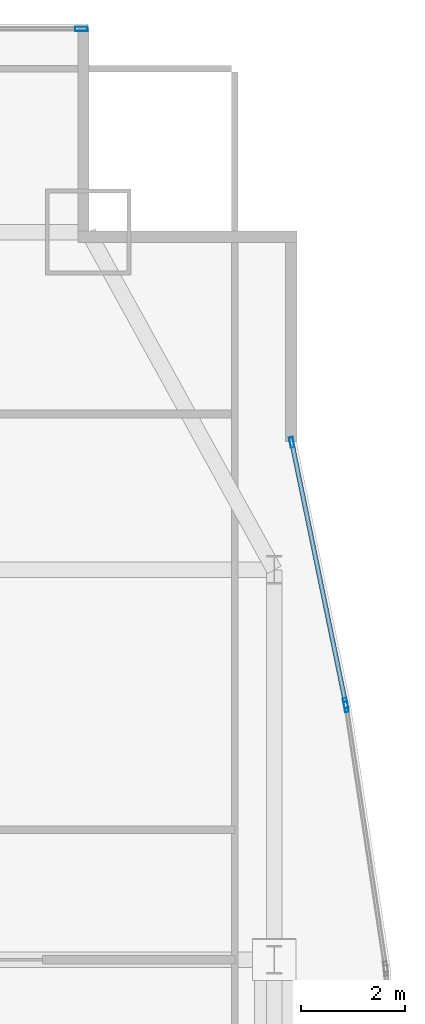
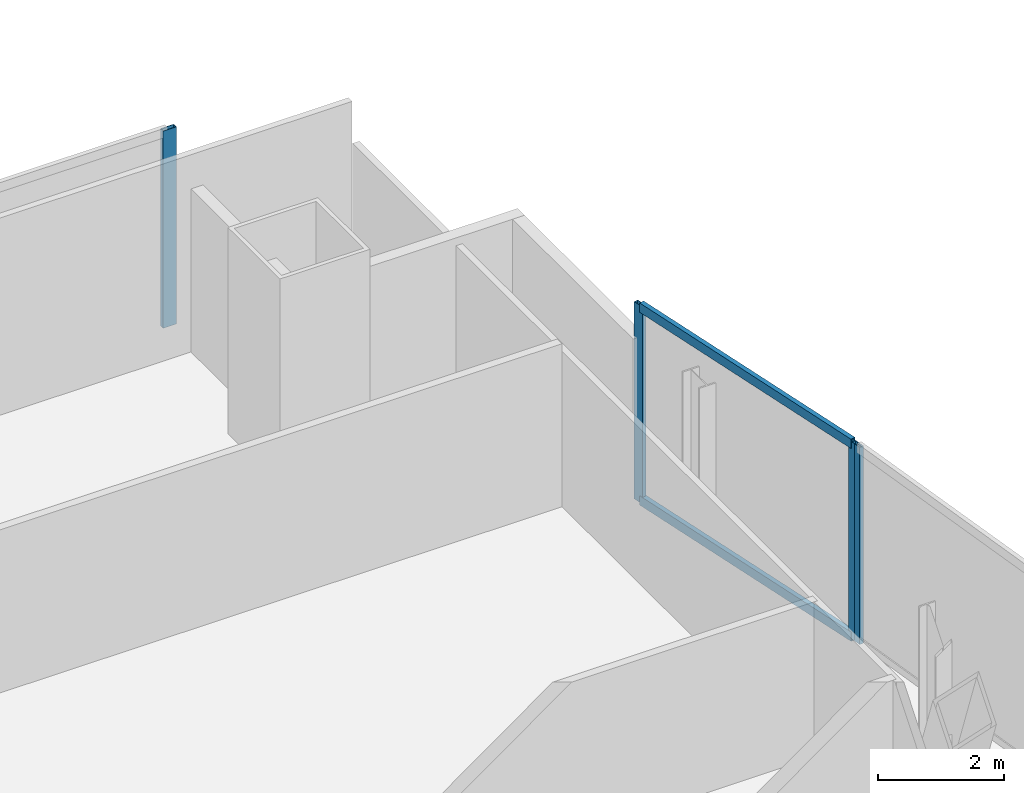
# One storey, part 27 of 36: 6 members, 3 elements without a shape of their own.
"""IFC4 building model written with IfcOpenShell, lengths in metres."""

from ifc_helpers import new_model, si_unit, direction, frame, origin, origin_2d, place, context, subcontext, project, spatial, hollow_rectangle, extrude, material, material_profile, profile_set, type_object, element, aggregate, save


model = new_model("IFC4")

# Units and contexts
model_context = context("Model", 3, precision=1e-05, world=origin(), true_north=direction((0.0, 1.0)))
body_context = subcontext(model_context, "Body", "Model", "MODEL_VIEW")
ifc_project = project(units=[si_unit("LENGTHUNIT", "METRE"), si_unit("AREAUNIT", "SQUARE_METRE"), si_unit("VOLUMEUNIT", "CUBIC_METRE"), si_unit("PLANEANGLEUNIT", "RADIAN"), si_unit("MASSUNIT", "GRAM", prefix="KILO")], contexts=[model_context])

# Site, building, storey
site_placement = place(None, origin())
site = spatial("IfcSite", under=ifc_project, at=site_placement, CompositionType="ELEMENT")
building_placement = place(site_placement, origin())
building = spatial("IfcBuilding", under=site, at=building_placement, Name="Khoronbel Lancet Exchange", CompositionType="ELEMENT")
storey_placement = place(building_placement, frame((0.0, 0.0, 49.800048828125)))
storey = spatial("IfcBuildingStorey", under=building, at=storey_placement, Name="L11", CompositionType="ELEMENT", Elevation=49.800048828125)

# Curtain wall, member
ifc_material_1 = material(Name="Low-E Solar Control Insulating Glass", Category="glass")
curtain_wall_type_1 = type_object("IfcCurtainWallType", Name="CW-1", PredefinedType="NOTDEFINED", material=ifc_material_1)
curtain_wall_1_placement = place(storey_placement, origin())
curtain_wall_1 = element("IfcCurtainWall", 1, at=curtain_wall_1_placement, inside=storey, type_object=curtain_wall_type_1, Name="Unitised curtain wall CW-L11-NEFLK", PredefinedType="NOTDEFINED")
ifc_material_2 = material(Name="Bronze-Anodised Aluminium 6063-T6", Category="aluminium")
ifc_material_profile_1 = material_profile(ifc_material_2, hollow_rectangle(XDim=0.0849609375, YDim=0.239990234375, WallThickness=0.006103515625, at=origin_2d()), Name="ALU MULLION 85x240")
ifc_profile_set_1 = profile_set([ifc_material_profile_1], Name="Bronze-Anodised Aluminium 6063-T6")
member_type_1 = type_object("IfcMemberType", Name="MEM-CWM1", PredefinedType="MULLION", material=ifc_profile_set_1)
member_1_placement = place(storey_placement, frame((67.91748046875, 53.610107421875, 0.0), z_axis=(0.0, 0.0, 1.0), x_axis=(0.0, -1.0, 0.0)))
member_1 = element("IfcMember", 2, at=member_1_placement, type_object=member_type_1, Name="CW1 mullion 1", PredefinedType="MULLION", context=body_context, shape_type="SweptSolid", body=[
    extrude(hollow_rectangle(XDim=0.0849609375, YDim=0.239990234375, WallThickness=0.006103515625, at=origin_2d()), origin(), (0.0, 0.0, 1.0), 3.820068359375),
])
aggregate(curtain_wall_1, [member_1])

# Curtain wall, members
curtain_wall_type_2 = type_object("IfcCurtainWallType", Name="CW-4", PredefinedType="NOTDEFINED", material=ifc_material_1)
curtain_wall_2_placement = place(storey_placement, origin())
curtain_wall_2 = element("IfcCurtainWall", 3, at=curtain_wall_2_placement, inside=storey, type_object=curtain_wall_type_2, Name="Unitised curtain wall CW-L11-E17", PredefinedType="NOTDEFINED")
ifc_material_profile_2 = material_profile(ifc_material_2, hollow_rectangle(XDim=0.074951171875, YDim=0.199951171875, WallThickness=0.0048828125, at=origin_2d()), Name="ALU MULLION 75x200")
ifc_profile_set_2 = profile_set([ifc_material_profile_2], Name="Bronze-Anodised Aluminium 6063-T6")
member_type_2 = type_object("IfcMemberType", Name="MEM-CWM2", PredefinedType="MULLION", material=ifc_profile_set_2)
member_2_placement = place(storey_placement, frame((71.967529296875, 45.654052734375, 0.0), z_axis=(0.0, 0.0, 1.0), x_axis=(0.979396974504, 0.201944463486, 0.0)))
member_2 = element("IfcMember", 4, at=member_2_placement, type_object=member_type_2, Name="CW4 mullion 1", PredefinedType="MULLION", context=body_context, shape_type="SweptSolid", body=[
    extrude(hollow_rectangle(XDim=0.074951171875, YDim=0.199951171875, WallThickness=0.0048828125, at=origin_2d()), origin(), (0.0, 0.0, 1.0), 3.820068359375),
])
member_3_placement = place(storey_placement, frame((73.001953125, 40.6376953125, 0.0), z_axis=(0.0, 0.0, 1.0), x_axis=(0.979396974504, 0.201944463486, 0.0)))
member_3 = element("IfcMember", 5, at=member_3_placement, type_object=member_type_2, Name="CW4 mullion 2", PredefinedType="MULLION", context=body_context, shape_type="SweptSolid", body=[
    extrude(hollow_rectangle(XDim=0.074951171875, YDim=0.199951171875, WallThickness=0.0048828125, at=origin_2d()), origin(), (0.0, 0.0, 1.0), 3.820068359375),
])

# Curtain wall, member
curtain_wall_3_placement = place(storey_placement, origin())
curtain_wall_3 = element("IfcCurtainWall", 6, at=curtain_wall_3_placement, inside=storey, type_object=curtain_wall_type_2, Name="Unitised curtain wall CW-L11-E18", PredefinedType="NOTDEFINED")
member_4_placement = place(storey_placement, frame((73.01513671875, 40.563720703125, 0.0), z_axis=(0.0, 0.0, 1.0), x_axis=(0.988799357855, 0.149250895825, 0.0)))
member_4 = element("IfcMember", 7, at=member_4_placement, type_object=member_type_2, Name="CW4 mullion 1", PredefinedType="MULLION", context=body_context, shape_type="SweptSolid", body=[
    extrude(hollow_rectangle(XDim=0.074951171875, YDim=0.199951171875, WallThickness=0.0048828125, at=origin_2d()), origin(), (0.0, 0.0, 1.0), 3.820068359375),
])
aggregate(curtain_wall_3, [member_4])

# Member
ifc_material_profile_3 = material_profile(ifc_material_2, hollow_rectangle(XDim=0.0849609375, YDim=0.179931640625, WallThickness=0.0048828125, at=origin_2d()), Name="ALU TRANSOM 85x180")
ifc_profile_set_3 = profile_set([ifc_material_profile_3], Name="Bronze-Anodised Aluminium 6063-T6")
member_type_3 = type_object("IfcMemberType", Name="MEM-CWT1", PredefinedType="USERDEFINED", material=ifc_profile_set_3)
member_5_placement = place(storey_placement, frame((71.97509765625, 45.617431640625, 0.04248046875), z_axis=(0.201954545805, -0.97939489555, 0.0), x_axis=(0.97939489555, 0.201954545805, 0.0)))
member_5 = element("IfcMember", 8, at=member_5_placement, type_object=member_type_3, Name="CW4 transom 1.1", ObjectType="TRANSOM", PredefinedType="USERDEFINED", context=body_context, shape_type="SweptSolid", body=[
    extrude(hollow_rectangle(XDim=0.0849609375, YDim=0.179931640625, WallThickness=0.0048828125, at=origin_2d()), origin(), (0.0, 0.0, 1.0), 5.047119140625),
])

member_6_placement = place(storey_placement, frame((71.97509765625, 45.617431640625, 3.77734375), z_axis=(0.201954545805, -0.97939489555, 0.0), x_axis=(0.97939489555, 0.201954545805, 0.0)))
member_6 = element("IfcMember", 9, at=member_6_placement, type_object=member_type_3, Name="CW4 transom 1.2", ObjectType="TRANSOM", PredefinedType="USERDEFINED", context=body_context, shape_type="SweptSolid", body=[
    extrude(hollow_rectangle(XDim=0.0849609375, YDim=0.179931640625, WallThickness=0.0048828125, at=origin_2d()), origin(), (0.0, 0.0, 1.0), 5.047119140625),
])

aggregate(curtain_wall_2, [member_2, member_3, member_5, member_6])

save(model, "model.ifc")
